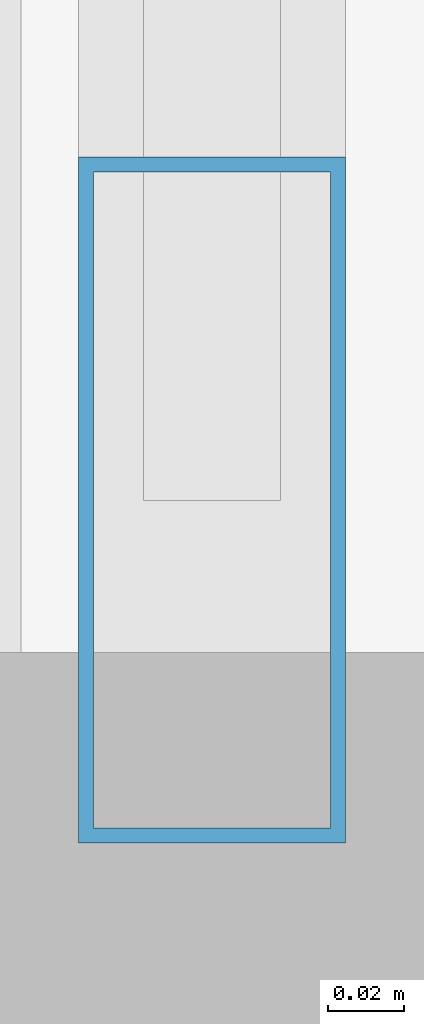
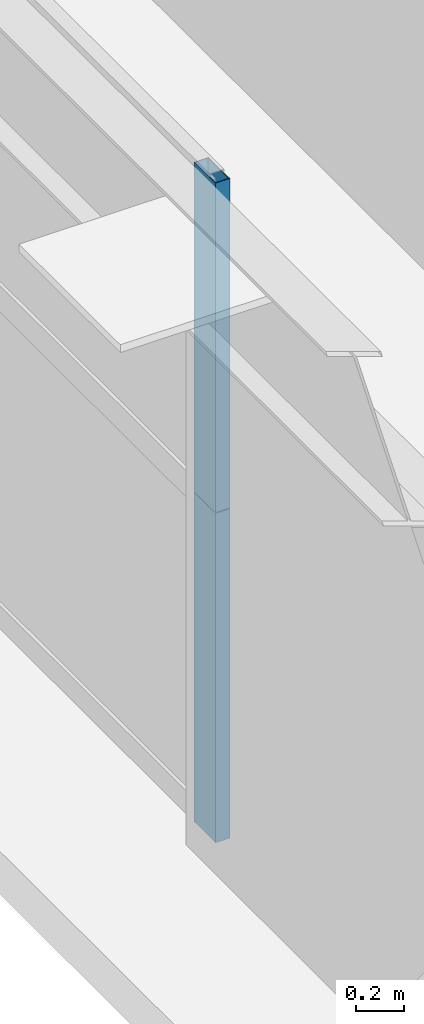
# One storey, part 5 of 43: 2 members, 1 element without a shape of its own.
"""IFC4 building model written with IfcOpenShell, lengths in metres."""

import ifcopenshell
import ifcopenshell.guid

model = None  # the IFC model being written
_history = None  # IfcOwnerHistory: only IFC2X3 demands one
_inside = {}  # id of a spatial element -> (the spatial element, [elements in it])
_under = {}  # id of a project, library or spatial element -> (it, [spatial elements below it])
_declared = {}  # id of a project -> (the project, [libraries it declares])
_typed = {}  # id of a type object -> (the type object, [elements of that type])
_made_of = {}  # id of a material, layer set ... -> (it, [elements and type objects made of it])


def new_model(schema):
    """Start an empty IFC model of exactly this schema.

    Asked for "IFC4X3", IfcOpenShell would pick the latest addendum, in which some entities
    have other attributes; the version numbers below select the first issue.
    IFC2X3 requires an IfcOwnerHistory on every rooted entity: one is made here for all.
    """
    global model, _history
    if schema == "IFC4X3":
        model = ifcopenshell.file(schema_version=(4, 3, 0, 0))
    else:
        model = ifcopenshell.file(schema=schema)
    _inside.clear()
    _under.clear()
    _declared.clear()
    _typed.clear()
    _made_of.clear()
    _history = None
    if model.schema == "IFC2X3":
        org = make("IfcOrganization", Name="unknown")
        user = make(
            "IfcPersonAndOrganization",
            ThePerson=make("IfcPerson", FamilyName="unknown"),
            TheOrganization=org,
        )
        app = make(
            "IfcApplication",
            ApplicationDeveloper=org,
            Version="unknown",
            ApplicationFullName="unknown",
            ApplicationIdentifier="unknown",
        )
        _history = make(
            "IfcOwnerHistory",
            OwningUser=user,
            OwningApplication=app,
            ChangeAction="ADDED",
            CreationDate=0,
        )
    return model


def make(cls, **values):
    """One entity of the class cls with the attributes given. An attribute that is None is left unset."""
    return model.create_entity(
        cls, **{name: value for name, value in values.items() if value is not None}
    )


def rooted(cls, **values):
    """An entity with a GlobalId (a new one), such as an element, a storey or a relation."""
    return make(cls, GlobalId=ifcopenshell.guid.new(), OwnerHistory=_history, **values)


def si_unit(unit_type, name, prefix=None):
    """IfcSIUnit, for example si_unit("LENGTHUNIT", "METRE", prefix="MILLI")."""
    return make("IfcSIUnit", UnitType=unit_type, Prefix=prefix, Name=name)


def assignment(units):
    """IfcUnitAssignment: the units of a project."""
    return None if units is None else make("IfcUnitAssignment", Units=units)


def point(xyz):
    """IfcCartesianPoint."""
    return None if xyz is None else make("IfcCartesianPoint", Coordinates=xyz)


def direction(xyz):
    """IfcDirection."""
    return None if xyz is None else make("IfcDirection", DirectionRatios=xyz)


def frame(location, z_axis=None, x_axis=None):
    """IfcAxis2Placement3D, a coordinate frame: its origin and axes. An axis left out is left unset."""
    return make(
        "IfcAxis2Placement3D",
        Location=point(location),
        Axis=direction(z_axis),
        RefDirection=direction(x_axis),
    )


def frame_2d(location, x_axis=None):
    """IfcAxis2Placement2D, a coordinate frame in the plane: its origin and x axis."""
    return make(
        "IfcAxis2Placement2D", Location=point(location), RefDirection=direction(x_axis)
    )


def origin():
    """The frame at (0, 0, 0) with its axes left unset."""
    return frame((0.0, 0.0, 0.0))


def origin_2d():
    """The frame at (0, 0) in the plane with its x axis left unset."""
    return frame_2d((0.0, 0.0))


def place(relative_to, where):
    """IfcLocalPlacement: puts the frame where relative to a parent placement (None: the world)."""
    return make(
        "IfcLocalPlacement", PlacementRelTo=relative_to, RelativePlacement=where
    )


def context(
    kind, dimensions, precision=None, world=None, true_north=None, identifier=None
):
    """IfcGeometricRepresentationContext, for example the 3D "Model" context."""
    return make(
        "IfcGeometricRepresentationContext",
        ContextIdentifier=identifier,
        ContextType=kind,
        CoordinateSpaceDimension=dimensions,
        Precision=precision,
        WorldCoordinateSystem=world,
        TrueNorth=true_north,
    )


def subcontext(parent, identifier, kind, view, scale=None):
    """IfcGeometricRepresentationSubContext, for example "Body" below "Model"."""
    return make(
        "IfcGeometricRepresentationSubContext",
        ContextIdentifier=identifier,
        ContextType=kind,
        ParentContext=parent,
        TargetScale=scale,
        TargetView=view,
    )


def project(units=None, contexts=None):
    """IfcProject with its units and contexts."""
    return rooted(
        "IfcProject",
        Name="project",
        RepresentationContexts=contexts,
        UnitsInContext=assignment(units),
    )


def spatial(cls, under=None, at=None, **own):
    """A site, building, storey or space (cls), placed at a placement, below another one or the project."""
    s = rooted(cls, ObjectPlacement=at, **own)
    if under is not None:
        _under.setdefault(under.id(), (under, []))[1].append(s)
    return s


def profile(cls, at=None, kind="AREA", **sizes):
    """A parametric profile (cls). Its sizes go by their IFC names, for example OverallWidth=200.0."""
    return make(cls, ProfileType=kind, Position=at, **sizes)


def hollow_rectangle(**sizes):
    """IfcRectangleHollowProfileDef."""
    return profile("IfcRectangleHollowProfileDef", **sizes)


def extrude(swept, where, along, depth):
    """IfcExtrudedAreaSolid: the profile swept, set in the frame where, extruded along a direction by depth."""
    return make(
        "IfcExtrudedAreaSolid",
        SweptArea=swept,
        Position=where,
        ExtrudedDirection=direction(along),
        Depth=depth,
    )


def shape(context_of_items, identifier, shape_type, items):
    """IfcShapeRepresentation: the items that make up one representation, for example the "Body"."""
    return make(
        "IfcShapeRepresentation",
        ContextOfItems=context_of_items,
        RepresentationIdentifier=identifier,
        RepresentationType=shape_type,
        Items=items,
    )


def source(mapping_origin, context_of_items, identifier, shape_type, items):
    """IfcRepresentationMap: a shape defined once, which mapped items show again and again."""
    return make(
        "IfcRepresentationMap",
        MappingOrigin=mapping_origin,
        MappedRepresentation=shape(context_of_items, identifier, shape_type, items),
    )


def transform(
    local_origin,
    x_axis=None,
    y_axis=None,
    z_axis=None,
    scale=None,
    scale2=None,
    scale3=None,
    uniform=True,
):
    """IfcCartesianTransformationOperator3D, or its non-uniform kind. x_axis, y_axis, z_axis: its Axis1, 2, 3."""
    if uniform:
        return make(
            "IfcCartesianTransformationOperator3D",
            Axis1=direction(x_axis),
            Axis2=direction(y_axis),
            LocalOrigin=point(local_origin),
            Scale=scale,
            Axis3=direction(z_axis),
        )
    return make(
        "IfcCartesianTransformationOperator3DnonUniform",
        Axis1=direction(x_axis),
        Axis2=direction(y_axis),
        LocalOrigin=point(local_origin),
        Scale=scale,
        Axis3=direction(z_axis),
        Scale2=scale2,
        Scale3=scale3,
    )


def mapped(mapping_source, mapping_target):
    """IfcMappedItem: shows the shape of a source again, moved by a transform."""
    return make(
        "IfcMappedItem", MappingSource=mapping_source, MappingTarget=mapping_target
    )


def material(Name=None, Category=None):
    """IfcMaterial."""
    return make("IfcMaterial", Name=Name, Category=Category)


def layer(
    of_material, thickness, ventilated=None, Name=None, Category=None, Priority=None
):
    """IfcMaterialLayer: one layer of a wall or slab, of a material (None: an air gap)."""
    return make(
        "IfcMaterialLayer",
        Material=of_material,
        LayerThickness=thickness,
        IsVentilated=ventilated,
        Name=Name,
        Category=Category,
        Priority=Priority,
    )


def layer_set(layers, Name=None):
    """IfcMaterialLayerSet."""
    return make("IfcMaterialLayerSet", MaterialLayers=layers, LayerSetName=Name)


def material_profile(
    of_material, cross_section, Name=None, Category=None, Priority=None
):
    """IfcMaterialProfile: a cross section and its material."""
    return make(
        "IfcMaterialProfile",
        Name=Name,
        Material=of_material,
        Profile=cross_section,
        Priority=Priority,
        Category=Category,
    )


def profile_set(profiles, Name=None, composite=None):
    """IfcMaterialProfileSet."""
    return make(
        "IfcMaterialProfileSet",
        Name=Name,
        MaterialProfiles=profiles,
        CompositeProfile=composite,
    )


def made_of(thing, what):
    """Note that an element or type object is made of a material, layer set ...; save() writes the relation."""
    if what is not None:
        _made_of.setdefault(what.id(), (what, []))[1].append(thing)
    return thing


def type_object(cls, material=None, **own):
    """A type object (cls), such as IfcWallType, which elements share."""
    return made_of(rooted(cls, **own), material)


def element(
    cls,
    number,
    at=None,
    inside=None,
    cuts=None,
    type_object=None,
    material=None,
    context=None,
    identifier="Body",
    shape_type=None,
    held_by="IfcProductDefinitionShape",
    body=None,
    shapes=None,
    **own,
):
    """One element of the class cls, such as IfcWall. Its Tag is "e" and its number.

    at: its placement. inside: the storey or other place that contains it. cuts: it is an
    opening in that element (IfcRelVoidsElement). A single representation is given by context,
    identifier, shape_type and body (its items); several are given by shapes. held_by: the class
    of the entity that holds the representations. save() writes the other relations.
    """
    e = rooted(cls, Tag="e%d" % number, ObjectPlacement=at, **own)
    if body is not None:
        shapes = [shape(context, identifier, shape_type, body)]
    if shapes is not None:
        e.Representation = make(held_by, Representations=shapes)
    if inside is not None:
        _inside.setdefault(inside.id(), (inside, []))[1].append(e)
    if cuts is not None:
        rooted(
            "IfcRelVoidsElement", RelatingBuildingElement=cuts, RelatedOpeningElement=e
        )
    if type_object is not None:
        _typed.setdefault(type_object.id(), (type_object, []))[1].append(e)
    return made_of(e, material)


def aggregate(whole, parts):
    """IfcRelAggregates: a whole, such as a stair, and the parts it consists of."""
    return rooted("IfcRelAggregates", RelatingObject=whole, RelatedObjects=parts)


def save(model, path):
    """Write the relations noted so far, then the file.

    IfcRelAggregates (storeys below a building ...), IfcRelContainedInSpatialStructure (elements
    in a storey), IfcRelDefinesByType, IfcRelAssociatesMaterial and IfcRelDeclares: one each for
    every whole, place, type object, material and project.
    """
    for whole, parts in _under.values():
        aggregate(whole, parts)
    for where, things in _inside.values():
        rooted(
            "IfcRelContainedInSpatialStructure",
            RelatedElements=things,
            RelatingStructure=where,
        )
    for kind, things in _typed.values():
        rooted("IfcRelDefinesByType", RelatedObjects=things, RelatingType=kind)
    for what, things in _made_of.values():
        rooted("IfcRelAssociatesMaterial", RelatedObjects=things, RelatingMaterial=what)
    for by, libraries in _declared.values():
        rooted("IfcRelDeclares", RelatingContext=by, RelatedDefinitions=libraries)
    model.write(path)


model = new_model("IFC4")

# Units and contexts
model_context = context("Model", 3, precision=1e-05, world=origin(), true_north=direction((0.0, 1.0)))
body_context = subcontext(model_context, "Body", "Model", "MODEL_VIEW")
ifc_project = project(units=[si_unit("LENGTHUNIT", "METRE"), si_unit("AREAUNIT", "SQUARE_METRE"), si_unit("VOLUMEUNIT", "CUBIC_METRE"), si_unit("PLANEANGLEUNIT", "RADIAN"), si_unit("MASSUNIT", "GRAM", prefix="KILO"), si_unit("THERMODYNAMICTEMPERATUREUNIT", "KELVIN"), si_unit("POWERUNIT", "WATT")], contexts=[model_context])

# Site, building, storey
site_placement = place(None, origin())
site = spatial("IfcSite", under=ifc_project, at=site_placement, CompositionType="ELEMENT")
building_placement = place(site_placement, origin())
building = spatial("IfcBuilding", under=site, at=building_placement, Name="Yuzanri Waterfront Tower", CompositionType="ELEMENT")
storey_placement = place(building_placement, frame((0.0, 0.0, 78.39990234375)))
storey = spatial("IfcBuildingStorey", under=building, at=storey_placement, Name="L20", CompositionType="ELEMENT", Elevation=78.39990234375)

# Curtain wall, members
ifc_material_1 = material(Name="Anodized Architectural Bronze", Category="metal")
ifc_layer = layer(ifc_material_1, 0.159912109375)
ifc_layer_set = layer_set([ifc_layer], Name="Anodized Architectural Bronze")
curtain_wall_type = type_object("IfcCurtainWallType", Name="Anodized Bronze Hotel Lower-Tier Recessed Unitized Curtain Wall 8100", PredefinedType="NOTDEFINED", material=ifc_layer_set)
curtain_wall_placement = place(storey_placement, origin())
curtain_wall = element("IfcCurtainWall", 1, at=curtain_wall_placement, inside=storey, type_object=curtain_wall_type, Name="L20 Curtain Wall CW-L20-WL", PredefinedType="NOTDEFINED")
ifc_material_2 = material(Name="Anodized Architectural Bronze", Category="metal")
ifc_material_profile = material_profile(ifc_material_2, hollow_rectangle(XDim=0.070068359375, YDim=0.179931640625, WallThickness=0.00390625, at=origin_2d()), Name="CWM 70x180")
ifc_profile_set = profile_set([ifc_material_profile], Name="Anodized Architectural Bronze")
member_type = type_object("IfcMemberType", Name="Anodized Bronze Standard Curtain-Wall Mullion 70x180", PredefinedType="MULLION", material=ifc_profile_set)
shared_shape = source(origin(), body_context, "Body", "SweptSolid", [
    extrude(hollow_rectangle(XDim=0.070068359375, YDim=0.179931640625, WallThickness=0.00390625, at=origin_2d()), origin(), (0.0, 0.0, 1.0), 1.68798828125),
])
member_1_placement = place(storey_placement, frame((12.050048828125, 8.090087890625, 0.0), z_axis=(0.0, 0.0, 1.0), x_axis=(1.0, 0.0, 0.0)))
member_1 = element("IfcMember", 2, at=member_1_placement, type_object=member_type, Name="CW-L20-WL Lower Mullion 00", PredefinedType="MULLION", context=body_context, shape_type="MappedRepresentation", body=[
    mapped(shared_shape, transform((0.0, 0.0, 0.0), scale=1.0)),
])
member_2_placement = place(storey_placement, frame((12.050048828125, 8.090087890625, 1.692138671875), z_axis=(0.0, 0.0, 1.0), x_axis=(1.0, 0.0, 0.0)))
member_2 = element("IfcMember", 3, at=member_2_placement, type_object=member_type, Name="CW-L20-WL Upper Mullion 00", PredefinedType="MULLION", context=body_context, shape_type="MappedRepresentation", body=[
    mapped(shared_shape, transform((0.0, 0.0, 0.0), scale=1.0)),
])
aggregate(curtain_wall, [member_1, member_2])

save(model, "model.ifc")
